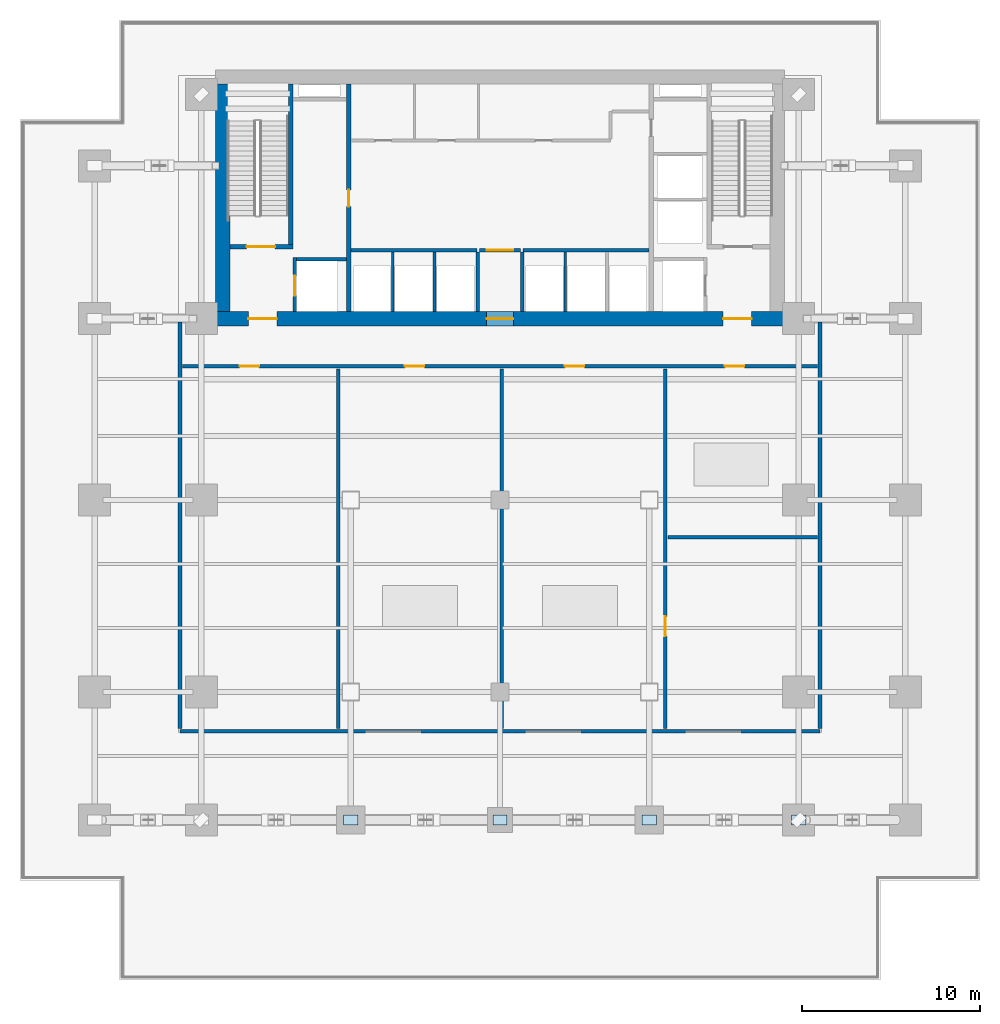
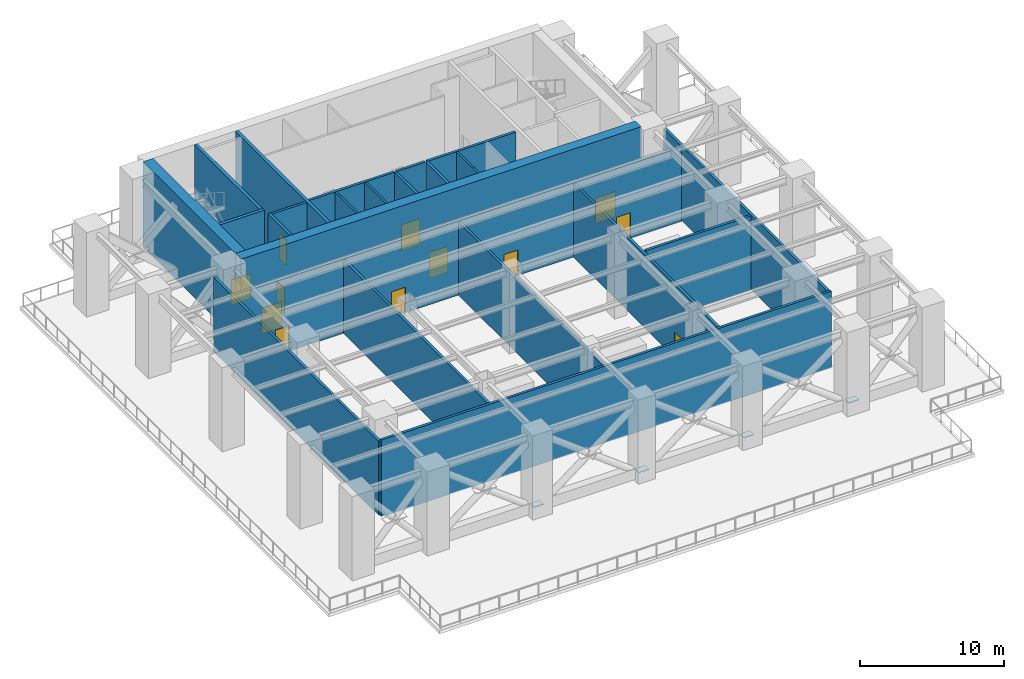
# One storey, part 3 of 10: 23 walls, 12 doors, 4 plates, 12 openings.
"""IFC4 building model written with IfcOpenShell, lengths in metres."""

from ifc_helpers import new_model, si_unit, direction, frame, frame_2d, origin, origin_2d, place, context, subcontext, project, spatial, rectangle, extrude, source, transform, mapped, material, layer, layer_set, type_object, element, fill, save


model = new_model("IFC4")

# Units and contexts
model_context = context("Model", 3, precision=1e-05, world=origin(), true_north=direction((0.0, 1.0)))
body_context = subcontext(model_context, "Body", "Model", "MODEL_VIEW")
ifc_project = project(units=[si_unit("LENGTHUNIT", "METRE"), si_unit("AREAUNIT", "SQUARE_METRE"), si_unit("VOLUMEUNIT", "CUBIC_METRE"), si_unit("PLANEANGLEUNIT", "RADIAN"), si_unit("MASSUNIT", "GRAM", prefix="KILO")], contexts=[model_context])

# Site, building, storey
site_placement = place(None, origin())
site = spatial("IfcSite", under=ifc_project, at=site_placement, CompositionType="ELEMENT")
building_placement = place(site_placement, origin())
building = spatial("IfcBuilding", under=site, at=building_placement, Name="Sumidabori Civic Tower", CompositionType="ELEMENT")
storey_placement = place(building_placement, frame((0.0, 0.0, 70.39990234375)))
storey = spatial("IfcBuildingStorey", under=building, at=storey_placement, Name="L18", CompositionType="ELEMENT", Elevation=70.39990234375)

# Plates
ifc_material_1 = material(Name="Steel SN490", Category="steel")
ifc_layer_1 = layer(ifc_material_1, 0.0400390625, Name="Steel SN490")
ifc_layer_set_1 = layer_set([ifc_layer_1], Name="Steel SN490")
plate_type = type_object("IfcPlateType", Name="PL-NODE-BT", PredefinedType="USERDEFINED", material=ifc_layer_set_1)
shared_shape_1 = source(origin(), body_context, "Body", "SweptSolid", [
    extrude(rectangle(XDim=0.800048828125, YDim=0.550048828125, at=origin_2d()), origin(), (0.0, 0.0, 1.0), 0.0400390625),
])
for number, where, z_axis, x_axis, name in (
    (1, (-8.39990234375, -18.0, 0.68017578125), (0.0, 0.0, 1.0), (1.0, 0.0, 0.0), "Belt Truss Node Cap Plate L18"),
    (2, (0.0, -18.0, 0.68017578125), (0.0, 0.0, 1.0), (1.0, 0.0, 0.0), "Belt Truss Node Cap Plate L18"),
    (3, (8.39990234375, -18.0, 0.68017578125), (0.0, 0.0, 1.0), (1.0, 0.0, 0.0), "Belt Truss Node Cap Plate L18"),
    (4, (16.800048828125, -18.0, 0.68017578125), (0.0, 0.0, 1.0), (1.0, 0.0, 0.0), "Belt Truss Node Cap Plate L18"),
):
    element("IfcPlate", number, at=place(storey_placement, frame(where, z_axis=z_axis, x_axis=x_axis)), inside=storey, type_object=plate_type, Name=name, ObjectType="GUSSET_PLATE", PredefinedType="USERDEFINED", context=body_context, shape_type="MappedRepresentation", body=[
        mapped(shared_shape_1, transform((0.0, 0.0, 0.0), x_axis=(1.0, 0.0, 0.0), y_axis=(0.0, 1.0, 0.0), z_axis=(0.0, 0.0, 1.0), scale=1.0)),
    ])

# Wall, openings, doors
ifc_material_2 = material(Name="Concrete C60/75", Category="concrete")
ifc_layer_2 = layer(ifc_material_2, 0.800048828125, Name="Concrete C60/75")
ifc_layer_set_2 = layer_set([ifc_layer_2], Name="Concrete C60/75")
wall_type_1 = type_object("IfcWallType", Name="WL-CORE-800", PredefinedType="SHEAR", material=ifc_layer_set_2)
shared_shape_2 = source(origin(), body_context, "Body", "SweptSolid", [
    extrude(rectangle(XDim=32.0, YDim=0.800048828125, at=frame_2d((16.0, 0.0))), origin(), (0.0, 0.0, 1.0), 7.2001953125),
])
wall_1_placement = place(storey_placement, frame((-16.0, 10.199951171875, 0.0), z_axis=(0.0, 0.0, 1.0), x_axis=(1.0, 0.0, 0.0)))
wall_1 = element("IfcWall", 5, at=wall_1_placement, inside=storey, type_object=wall_type_1, Name="Core Shear Wall L18 S", PredefinedType="SHEAR", context=body_context, shape_type="MappedRepresentation", body=[
    mapped(shared_shape_2, transform((0.0, 0.0, 0.0), x_axis=(1.0, 0.0, 0.0), y_axis=(0.0, 1.0, 0.0), z_axis=(0.0, 0.0, 1.0), scale=1.0)),
])
opening_1_placement = place(wall_1_placement, frame((1.85009765625, 0.0, 0.0)))
opening_1 = element("IfcOpeningElement", 6, at=opening_1_placement, cuts=wall_1, Name="Opening DR-FD4", PredefinedType="OPENING", context=body_context, shape_type="SweptSolid", body=[
    extrude(rectangle(XDim=1.60009765625, YDim=2.14990234375, at=frame_2d((0.800048828125, 1.074951171875))), frame((0.0, 0.412109375, 0.0), z_axis=(0.0, -1.0, 0.0), x_axis=(1.0, 0.0, 0.0)), (0.0, 0.0, 1.0), 0.823974609375),
])
opening_2_placement = place(wall_1_placement, frame((28.550048828125, 0.0, 0.0)))
opening_2 = element("IfcOpeningElement", 7, at=opening_2_placement, cuts=wall_1, Name="Opening DR-FD4", PredefinedType="OPENING", context=body_context, shape_type="SweptSolid", body=[
    extrude(rectangle(XDim=1.60009765625, YDim=2.14990234375, at=frame_2d((0.800048828125, 1.074951171875))), frame((0.0, 0.412109375, 0.0), z_axis=(0.0, -1.0, 0.0), x_axis=(1.0, 0.0, 0.0)), (0.0, 0.0, 1.0), 0.823974609375),
])
opening_3_placement = place(wall_1_placement, frame((15.25, 0.0, 0.0)))
opening_3 = element("IfcOpeningElement", 8, at=opening_3_placement, cuts=wall_1, Name="Opening DR-FD3", PredefinedType="OPENING", context=body_context, shape_type="SweptSolid", body=[
    extrude(rectangle(XDim=1.5, YDim=2.199951171875, at=frame_2d((0.75, 1.10009765625))), frame((0.0, 0.412109375, 0.0), z_axis=(0.0, -1.0, 0.0), x_axis=(1.0, 0.0, 0.0)), (0.0, 0.0, 1.0), 0.823974609375),
])
door_type_1 = type_object("IfcDoorType", Name="DR-FD4", OperationType="DOUBLE_DOOR_SINGLE_SWING", PredefinedType="DOOR", material=ifc_material_1)
shared_shape_3 = source(origin(), body_context, "Body", "SweptSolid", [
    extrude(rectangle(XDim=1.60009765625, YDim=2.14990234375, at=frame_2d((0.800048828125, 1.074951171875))), frame((0.0, 0.02490234375, 0.0), z_axis=(0.0, -1.0, 0.0), x_axis=(1.0, 0.0, 0.0)), (0.0, 0.0, 1.0), 0.050048828125),
])
door_1_placement = place(opening_1_placement, origin())
door_1 = element("IfcDoor", 9, at=door_1_placement, inside=storey, type_object=door_type_1, Name="Door DR:L18:ELOB-W", OperationType="DOUBLE_DOOR_SINGLE_SWING", OverallHeight=2.14990234375, OverallWidth=1.60009765625, PredefinedType="DOOR", context=body_context, shape_type="MappedRepresentation", body=[
    mapped(shared_shape_3, transform((0.0, 0.0, 0.0), x_axis=(1.0, 0.0, 0.0), y_axis=(0.0, 1.0, 0.0), z_axis=(0.0, 0.0, 1.0), scale=1.0)),
])
fill(opening_1, door_1)
door_2_placement = place(opening_2_placement, origin())
door_2 = element("IfcDoor", 10, at=door_2_placement, inside=storey, type_object=door_type_1, Name="Door DR:L18:ELOB-E", OperationType="DOUBLE_DOOR_SINGLE_SWING", OverallHeight=2.14990234375, OverallWidth=1.60009765625, PredefinedType="DOOR", context=body_context, shape_type="MappedRepresentation", body=[
    mapped(shared_shape_3, transform((0.0, 0.0, 0.0), x_axis=(1.0, 0.0, 0.0), y_axis=(0.0, 1.0, 0.0), z_axis=(0.0, 0.0, 1.0), scale=1.0)),
])
fill(opening_2, door_2)
door_type_2 = type_object("IfcDoorType", Name="DR-FD-DBL", OperationType="DOUBLE_DOOR_SINGLE_SWING", PredefinedType="DOOR", material=ifc_material_1)
shared_shape_4 = source(origin(), body_context, "Body", "SweptSolid", [
    extrude(rectangle(XDim=1.5, YDim=2.199951171875, at=frame_2d((0.75, 1.10009765625))), frame((0.0, 0.02490234375, 0.0), z_axis=(0.0, -1.0, 0.0), x_axis=(1.0, 0.0, 0.0)), (0.0, 0.0, 1.0), 0.050048828125),
])
door_3_placement = place(opening_3_placement, origin())
door_3 = element("IfcDoor", 11, at=door_3_placement, inside=storey, type_object=door_type_2, Name="Door DR:L18:THROAT-OUT", OperationType="DOUBLE_DOOR_SINGLE_SWING", OverallHeight=2.199951171875, OverallWidth=1.5, PredefinedType="DOOR", context=body_context, shape_type="MappedRepresentation", body=[
    mapped(shared_shape_4, transform((0.0, 0.0, 0.0), x_axis=(1.0, 0.0, 0.0), y_axis=(0.0, 1.0, 0.0), z_axis=(0.0, 0.0, 1.0), scale=1.0)),
])
fill(opening_3, door_3)

# Wall
shared_shape_5 = source(origin(), body_context, "Body", "SweptSolid", [
    extrude(rectangle(XDim=12.7998046875, YDim=0.800048828125, at=frame_2d((6.39990234375, 0.0))), origin(), (0.0, 0.0, 1.0), 7.2001953125),
])
wall_2_placement = place(storey_placement, frame((-15.60009765625, 10.60009765625, 0.0), z_axis=(0.0, 0.0, 1.0), x_axis=(0.0, 1.0, 0.0)))
element("IfcWall", 12, at=wall_2_placement, inside=storey, type_object=wall_type_1, Name="Core Shear Wall L18 W", PredefinedType="SHEAR", context=body_context, shape_type="MappedRepresentation", body=[
    mapped(shared_shape_5, transform((0.0, 0.0, 0.0), x_axis=(1.0, 0.0, 0.0), y_axis=(0.0, 1.0, 0.0), z_axis=(0.0, 0.0, 1.0), scale=1.0)),
])

# Wall, opening, door
ifc_material_3 = material(Name="Concrete C50/60", Category="concrete")
ifc_layer_3 = layer(ifc_material_3, 0.25, Name="Concrete C50/60")
ifc_layer_set_3 = layer_set([ifc_layer_3], Name="Concrete C50/60")
wall_type_2 = type_object("IfcWallType", Name="WL-SHAFT-250", PredefinedType="SHEAR", material=ifc_layer_set_3)
shared_shape_6 = source(origin(), body_context, "Body", "SweptSolid", [
    extrude(rectangle(XDim=12.7998046875, YDim=0.25, at=frame_2d((6.39990234375, 0.0))), origin(), (0.0, 0.0, 1.0), 7.2001953125),
])
wall_3_placement = place(storey_placement, frame((-8.5, 10.60009765625, 0.0), z_axis=(0.0, 0.0, 1.0), x_axis=(0.0, 1.0, 0.0)))
wall_3 = element("IfcWall", 13, at=wall_3_placement, inside=storey, type_object=wall_type_2, Name="Core Shear Wall L18 WEB-W", PredefinedType="SHEAR", context=body_context, shape_type="MappedRepresentation", body=[
    mapped(shared_shape_6, transform((0.0, 0.0, 0.0), x_axis=(1.0, 0.0, 0.0), y_axis=(0.0, 1.0, 0.0), z_axis=(0.0, 0.0, 1.0), scale=1.0)),
])
opening_4_placement = place(wall_3_placement, frame((5.89990234375, 0.0, 0.0)))
opening_4 = element("IfcOpeningElement", 14, at=opening_4_placement, cuts=wall_3, Name="Opening DR-FD2", PredefinedType="OPENING", context=body_context, shape_type="SweptSolid", body=[
    extrude(rectangle(XDim=0.949951171875, YDim=2.14990234375, at=frame_2d((0.47509765625, 1.074951171875))), frame((0.0, 0.136962890625, 0.0), z_axis=(0.0, -1.0, 0.0), x_axis=(1.0, 0.0, 0.0)), (0.0, 0.0, 1.0), 0.27392578125),
])
door_type_3 = type_object("IfcDoorType", Name="DR-FD2", OperationType="NOTDEFINED", PredefinedType="DOOR", material=ifc_material_1)
shared_shape_7 = source(origin(), body_context, "Body", "SweptSolid", [
    extrude(rectangle(XDim=0.949951171875, YDim=2.14990234375, at=frame_2d((0.47509765625, 1.074951171875))), frame((0.0, 0.02490234375, 0.0), z_axis=(0.0, -1.0, 0.0), x_axis=(1.0, 0.0, 0.0)), (0.0, 0.0, 1.0), 0.050048828125),
])
door_4_placement = place(opening_4_placement, origin())
door_4 = element("IfcDoor", 15, at=door_4_placement, inside=storey, type_object=door_type_3, Name="Door DR:L18:CW-STR", OperationType="SINGLE_SWING_LEFT", OverallHeight=2.14990234375, OverallWidth=0.949951171875, PredefinedType="DOOR", context=body_context, shape_type="MappedRepresentation", body=[
    mapped(shared_shape_7, transform((0.0, 0.0, 0.0), x_axis=(1.0, 0.0, 0.0), y_axis=(0.0, 1.0, 0.0), z_axis=(0.0, 0.0, 1.0), scale=1.0)),
])
fill(opening_4, door_4)

shared_shape_8 = source(origin(), body_context, "Body", "SweptSolid", [
    extrude(rectangle(XDim=3.554931640625, YDim=0.25, at=frame_2d((1.77734375, 0.0))), origin(), (0.0, 0.0, 1.0), 7.2001953125),
])
wall_4_placement = place(storey_placement, frame((-15.199951171875, 14.25, 0.0), z_axis=(0.0, 0.0, 1.0), x_axis=(1.0, 0.0, 0.0)))
wall_4 = element("IfcWall", 16, at=wall_4_placement, inside=storey, type_object=wall_type_2, Name="Core Shear Wall L18 ST1-S", PredefinedType="SHEAR", context=body_context, shape_type="MappedRepresentation", body=[
    mapped(shared_shape_8, transform((0.0, 0.0, 0.0), x_axis=(1.0, 0.0, 0.0), y_axis=(0.0, 1.0, 0.0), z_axis=(0.0, 0.0, 1.0), scale=1.0)),
])
opening_5_placement = place(wall_4_placement, frame((0.949951171875, 0.0, 0.0)))
opening_5 = element("IfcOpeningElement", 17, at=opening_5_placement, cuts=wall_4, Name="Opening DR-FD4", PredefinedType="OPENING", context=body_context, shape_type="SweptSolid", body=[
    extrude(rectangle(XDim=1.60009765625, YDim=2.14990234375, at=frame_2d((0.800048828125, 1.074951171875))), frame((0.0, 0.136962890625, 0.0), z_axis=(0.0, -1.0, 0.0), x_axis=(1.0, 0.0, 0.0)), (0.0, 0.0, 1.0), 0.27392578125),
])
door_5_placement = place(opening_5_placement, origin())
door_5 = element("IfcDoor", 18, at=door_5_placement, inside=storey, type_object=door_type_1, Name="Door DR:L18:ST1", OperationType="DOUBLE_DOOR_SINGLE_SWING", OverallHeight=2.14990234375, OverallWidth=1.60009765625, PredefinedType="DOOR", context=body_context, shape_type="MappedRepresentation", body=[
    mapped(shared_shape_3, transform((0.0, 0.0, 0.0), x_axis=(1.0, 0.0, 0.0), y_axis=(0.0, 1.0, 0.0), z_axis=(0.0, 0.0, 1.0), scale=1.0)),
])
fill(opening_5, door_5)

# Wall
shared_shape_9 = source(origin(), body_context, "Body", "SweptSolid", [
    extrude(rectangle(XDim=9.02490234375, YDim=0.25, at=frame_2d((4.512451171875, 0.0))), origin(), (0.0, 0.0, 1.0), 7.2001953125),
])
wall_5_placement = place(storey_placement, frame((-11.77001953125, 14.375, 0.0), z_axis=(0.0, 0.0, 1.0), x_axis=(0.0, 1.0, 0.0)))
element("IfcWall", 19, at=wall_5_placement, inside=storey, type_object=wall_type_2, Name="Core Shear Wall L18 ST1-E", PredefinedType="SHEAR", context=body_context, shape_type="MappedRepresentation", body=[
    mapped(shared_shape_9, transform((0.0, 0.0, 0.0), x_axis=(1.0, 0.0, 0.0), y_axis=(0.0, 1.0, 0.0), z_axis=(0.0, 0.0, 1.0), scale=1.0)),
])

# Wall, opening, door
ifc_layer_4 = layer(ifc_material_3, 0.199951171875, Name="Concrete C50/60")
ifc_layer_set_4 = layer_set([ifc_layer_4], Name="Concrete C50/60")
wall_type_3 = type_object("IfcWallType", Name="WL-SHAFT-200", PredefinedType="SHEAR", material=ifc_layer_set_4)
shared_shape_10 = source(origin(), body_context, "Body", "SweptSolid", [
    extrude(rectangle(XDim=3.0498046875, YDim=0.199951171875, at=frame_2d((1.52490234375, 0.0))), origin(), (0.0, 0.0, 1.0), 7.2001953125),
])
wall_6_placement = place(storey_placement, frame((-11.550048828125, 10.60009765625, 0.0), z_axis=(0.0, 0.0, 1.0), x_axis=(0.0, 1.0, 0.0)))
wall_6 = element("IfcWall", 20, at=wall_6_placement, inside=storey, type_object=wall_type_3, Name="Core Shear Wall L18 EL1-W", PredefinedType="SHEAR", context=body_context, shape_type="MappedRepresentation", body=[
    mapped(shared_shape_10, transform((0.0, 0.0, 0.0), x_axis=(1.0, 0.0, 0.0), y_axis=(0.0, 1.0, 0.0), z_axis=(0.0, 0.0, 1.0), scale=1.0)),
])
opening_6_placement = place(wall_6_placement, frame((0.89990234375, 0.0, 0.0)))
opening_6 = element("IfcOpeningElement", 21, at=opening_6_placement, cuts=wall_6, Name="Opening LD-2", PredefinedType="OPENING", context=body_context, shape_type="SweptSolid", body=[
    extrude(rectangle(XDim=1.10009765625, YDim=2.14990234375, at=frame_2d((0.550048828125, 1.074951171875))), frame((0.0, 0.11181640625, 0.0), z_axis=(0.0, -1.0, 0.0), x_axis=(1.0, 0.0, 0.0)), (0.0, 0.0, 1.0), 0.223876953125),
])
ifc_material_4 = material(Name="Stainless Steel Hairline Finish", Category="steel")
door_type_4 = type_object("IfcDoorType", Name="DR-LD2", OperationType="DOUBLE_DOOR_SLIDING", PredefinedType="DOOR", material=ifc_material_4)
shared_shape_11 = source(origin(), body_context, "Body", "SweptSolid", [
    extrude(rectangle(XDim=1.10009765625, YDim=2.14990234375, at=frame_2d((0.550048828125, 1.074951171875))), frame((0.0, 0.02490234375, 0.0), z_axis=(0.0, -1.0, 0.0), x_axis=(1.0, 0.0, 0.0)), (0.0, 0.0, 1.0), 0.050048828125),
])
door_6_placement = place(opening_6_placement, origin())
door_6 = element("IfcDoor", 22, at=door_6_placement, inside=storey, type_object=door_type_4, Name="Door DR:L18:LD-EL1", OperationType="DOUBLE_DOOR_SLIDING", OverallHeight=2.14990234375, OverallWidth=1.10009765625, PredefinedType="DOOR", context=body_context, shape_type="MappedRepresentation", body=[
    mapped(shared_shape_11, transform((0.0, 0.0, 0.0), x_axis=(1.0, 0.0, 0.0), y_axis=(0.0, 1.0, 0.0), z_axis=(0.0, 0.0, 1.0), scale=1.0)),
])
fill(opening_6, door_6)

# Walls
shared_shape_12 = source(origin(), body_context, "Body", "SweptSolid", [
    extrude(rectangle(XDim=2.824951171875, YDim=0.199951171875, at=frame_2d((1.41259765625, 0.0))), origin(), (0.0, 0.0, 1.0), 7.2001953125),
])
wall_7_placement = place(storey_placement, frame((-11.449951171875, 13.550048828125, 0.0), z_axis=(0.0, 0.0, 1.0), x_axis=(1.0, 0.0, 0.0)))
element("IfcWall", 23, at=wall_7_placement, inside=storey, type_object=wall_type_3, Name="Core Shear Wall L18 EL1-N", PredefinedType="SHEAR", context=body_context, shape_type="MappedRepresentation", body=[
    mapped(shared_shape_12, transform((0.0, 0.0, 0.0), x_axis=(1.0, 0.0, 0.0), y_axis=(0.0, 1.0, 0.0), z_axis=(0.0, 0.0, 1.0), scale=1.0)),
])
ifc_material_5 = material(Name="Gypsum Plasterboard Fire Partition")
ifc_layer_5 = layer(ifc_material_5, 0.199951171875, Name="Gypsum Plasterboard Fire Partition")
ifc_layer_set_5 = layer_set([ifc_layer_5], Name="Gypsum Plasterboard Fire Partition")
wall_type_4 = type_object("IfcWallType", Name="WL-PART-FIRE", PredefinedType="PARTITIONING", material=ifc_layer_set_5)
shared_shape_13 = source(origin(), body_context, "Body", "SweptSolid", [
    extrude(rectangle(XDim=7.070068359375, YDim=0.199951171875, at=frame_2d((3.53515625, 0.0))), origin(), (0.0, 0.0, 1.0), 6.900146484375),
])
for number, where, z_axis, x_axis, name in (
    (24, (-8.3701171875, 14.050048828125, 0.0), (0.0, 0.0, 1.0), (1.0, 0.0, 0.0), "Interior Partition WL:L18:CBAND-SW"),
    (25, (1.300048828125, 14.050048828125, 0.0), (0.0, 0.0, 1.0), (1.0, 0.0, 0.0), "Interior Partition WL:L18:CBAND-SE"),
):
    element("IfcWall", number, at=place(storey_placement, frame(where, z_axis=z_axis, x_axis=x_axis)), inside=storey, type_object=wall_type_4, Name=name, PredefinedType="PARTITIONING", context=body_context, shape_type="MappedRepresentation", body=[
        mapped(shared_shape_13, transform((0.0, 0.0, 0.0), x_axis=(1.0, 0.0, 0.0), y_axis=(0.0, 1.0, 0.0), z_axis=(0.0, 0.0, 1.0), scale=1.0)),
    ])
shared_shape_14 = source(origin(), body_context, "Body", "SweptSolid", [
    extrude(rectangle(XDim=3.33984375, YDim=0.199951171875, at=frame_2d((1.669921875, 0.0))), origin(), (0.0, 0.0, 1.0), 6.900146484375),
])
for number, where, z_axis, x_axis, name in (
    (26, (-1.25, 10.60009765625, 0.0), (0.0, 0.0, 1.0), (0.0, 1.0, 0.0), "Interior Partition WL:L18:THROAT-W"),
    (27, (1.25, 10.60009765625, 0.0), (0.0, 0.0, 1.0), (0.0, 1.0, 0.0), "Interior Partition WL:L18:THROAT-E"),
):
    element("IfcWall", number, at=place(storey_placement, frame(where, z_axis=z_axis, x_axis=x_axis)), inside=storey, type_object=wall_type_4, Name=name, PredefinedType="PARTITIONING", context=body_context, shape_type="MappedRepresentation", body=[
        mapped(shared_shape_14, transform((0.0, 0.0, 0.0), x_axis=(1.0, 0.0, 0.0), y_axis=(0.0, 1.0, 0.0), z_axis=(0.0, 0.0, 1.0), scale=1.0)),
    ])

# Wall, opening, door
shared_shape_15 = source(origin(), body_context, "Body", "SweptSolid", [
    extrude(rectangle(XDim=2.2998046875, YDim=0.199951171875, at=frame_2d((1.14990234375, 0.0))), origin(), (0.0, 0.0, 1.0), 6.900146484375),
])
wall_8_placement = place(storey_placement, frame((-1.14990234375, 14.050048828125, 0.0), z_axis=(0.0, 0.0, 1.0), x_axis=(1.0, 0.0, 0.0)))
wall_8 = element("IfcWall", 28, at=wall_8_placement, inside=storey, type_object=wall_type_4, Name="Interior Partition WL:L18:THROAT-N", PredefinedType="PARTITIONING", context=body_context, shape_type="MappedRepresentation", body=[
    mapped(shared_shape_15, transform((0.0, 0.0, 0.0), x_axis=(1.0, 0.0, 0.0), y_axis=(0.0, 1.0, 0.0), z_axis=(0.0, 0.0, 1.0), scale=1.0)),
])
opening_7_placement = place(wall_8_placement, frame((0.39990234375, 0.0, 0.0)))
opening_7 = element("IfcOpeningElement", 29, at=opening_7_placement, cuts=wall_8, Name="Opening DR-FD3", PredefinedType="OPENING", context=body_context, shape_type="SweptSolid", body=[
    extrude(rectangle(XDim=1.5, YDim=2.199951171875, at=frame_2d((0.75, 1.10009765625))), frame((0.0, 0.11181640625, 0.0), z_axis=(0.0, -1.0, 0.0), x_axis=(1.0, 0.0, 0.0)), (0.0, 0.0, 1.0), 0.223876953125),
])
door_7_placement = place(opening_7_placement, origin())
door_7 = element("IfcDoor", 30, at=door_7_placement, inside=storey, type_object=door_type_2, Name="Door DR:L18:THROAT-IN", OperationType="DOUBLE_DOOR_SINGLE_SWING", OverallHeight=2.199951171875, OverallWidth=1.5, PredefinedType="DOOR", context=body_context, shape_type="MappedRepresentation", body=[
    mapped(shared_shape_4, transform((0.0, 0.0, 0.0), x_axis=(1.0, 0.0, 0.0), y_axis=(0.0, 1.0, 0.0), z_axis=(0.0, 0.0, 1.0), scale=1.0)),
])
fill(opening_7, door_7)

# Walls
ifc_material_6 = material(Name="Gypsum Plasterboard Acoustic Partition")
ifc_layer_6 = layer(ifc_material_6, 0.14990234375, Name="Gypsum Plasterboard Acoustic Partition")
ifc_layer_set_6 = layer_set([ifc_layer_6], Name="Gypsum Plasterboard Acoustic Partition")
wall_type_5 = type_object("IfcWallType", Name="WL-PART-150", PredefinedType="PARTITIONING", material=ifc_layer_set_6)
shared_shape_16 = source(origin(), body_context, "Body", "SweptSolid", [
    extrude(rectangle(XDim=3.33984375, YDim=0.14990234375, at=frame_2d((1.669921875, 0.0))), origin(), (0.0, 0.0, 1.0), 6.900146484375),
])
for number, where, z_axis, x_axis, name in (
    (31, (-6.030029296875, 10.60009765625, 0.0), (0.0, 0.0, 1.0), (0.0, 1.0, 0.0), "Interior Partition WL:L18:DIV-PLL1"),
    (32, (-3.679931640625, 10.60009765625, 0.0), (0.0, 0.0, 1.0), (0.0, 1.0, 0.0), "Interior Partition WL:L18:DIV-PLL2"),
    (33, (3.669921875, 10.60009765625, 0.0), (0.0, 0.0, 1.0), (0.0, 1.0, 0.0), "Interior Partition WL:L18:DIV-PLM1"),
):
    element("IfcWall", number, at=place(storey_placement, frame(where, z_axis=z_axis, x_axis=x_axis)), inside=storey, type_object=wall_type_5, Name=name, PredefinedType="PARTITIONING", context=body_context, shape_type="MappedRepresentation", body=[
        mapped(shared_shape_16, transform((0.0, 0.0, 0.0), x_axis=(1.0, 0.0, 0.0), y_axis=(0.0, 1.0, 0.0), z_axis=(0.0, 0.0, 1.0), scale=1.0)),
    ])
shared_shape_17 = source(origin(), body_context, "Body", "SweptSolid", [
    extrude(rectangle(XDim=36.0, YDim=0.199951171875, at=frame_2d((18.0, 0.0))), origin(), (0.0, 0.0, 1.0), 6.485107421875),
])
wall_9_placement = place(storey_placement, frame((-18.0, -13.0, 0.0), z_axis=(0.0, 0.0, 1.0), x_axis=(1.0, 0.0, 0.0)))
element("IfcWall", 34, at=wall_9_placement, inside=storey, type_object=wall_type_4, Name="Interior Partition WL:L18:PL-S", PredefinedType="PARTITIONING", context=body_context, shape_type="MappedRepresentation", body=[
    mapped(shared_shape_17, transform((0.0, 0.0, 0.0), x_axis=(1.0, 0.0, 0.0), y_axis=(0.0, 1.0, 0.0), z_axis=(0.0, 0.0, 1.0), scale=1.0)),
])
shared_shape_18 = source(origin(), body_context, "Body", "SweptSolid", [
    extrude(rectangle(XDim=22.85009765625, YDim=0.199951171875, at=frame_2d((11.425048828125, 0.0))), origin(), (0.0, 0.0, 1.0), 6.28515625),
])
for number, where, z_axis, x_axis, name in (
    (35, (-18.0, -12.85009765625, 0.0), (0.0, 0.0, 1.0), (0.0, 1.0, 0.0), "Interior Partition WL:L18:PL-W"),
    (36, (18.0, -12.85009765625, 0.0), (0.0, 0.0, 1.0), (0.0, 1.0, 0.0), "Interior Partition WL:L18:PL-E"),
):
    element("IfcWall", number, at=place(storey_placement, frame(where, z_axis=z_axis, x_axis=x_axis)), inside=storey, type_object=wall_type_4, Name=name, PredefinedType="PARTITIONING", context=body_context, shape_type="MappedRepresentation", body=[
        mapped(shared_shape_18, transform((0.0, 0.0, 0.0), x_axis=(1.0, 0.0, 0.0), y_axis=(0.0, 1.0, 0.0), z_axis=(0.0, 0.0, 1.0), scale=1.0)),
    ])

# Wall, openings, doors
shared_shape_19 = source(origin(), body_context, "Body", "SweptSolid", [
    extrude(rectangle(XDim=35.7001953125, YDim=0.199951171875, at=frame_2d((17.85009765625, 0.0))), origin(), (0.0, 0.0, 1.0), 6.28515625),
])
wall_10_placement = place(storey_placement, frame((-17.85009765625, 7.52001953125, 0.0), z_axis=(0.0, 0.0, 1.0), x_axis=(1.0, 0.0, 0.0)))
wall_10 = element("IfcWall", 37, at=wall_10_placement, inside=storey, type_object=wall_type_4, Name="Interior Partition WL:L18:PCORR-S", PredefinedType="PARTITIONING", context=body_context, shape_type="MappedRepresentation", body=[
    mapped(shared_shape_19, transform((0.0, 0.0, 0.0), x_axis=(1.0, 0.0, 0.0), y_axis=(0.0, 1.0, 0.0), z_axis=(0.0, 0.0, 1.0), scale=1.0)),
])
opening_8_placement = place(wall_10_placement, frame((3.199951171875, 0.0, 0.0)))
opening_8 = element("IfcOpeningElement", 38, at=opening_8_placement, cuts=wall_10, Name="Opening DR-FD1", PredefinedType="OPENING", context=body_context, shape_type="SweptSolid", body=[
    extrude(rectangle(XDim=1.10009765625, YDim=2.14990234375, at=frame_2d((0.550048828125, 1.074951171875))), frame((0.0, 0.11181640625, 0.0), z_axis=(0.0, -1.0, 0.0), x_axis=(1.0, 0.0, 0.0)), (0.0, 0.0, 1.0), 0.223876953125),
])
opening_9_placement = place(wall_10_placement, frame((12.5, 0.0, 0.0)))
opening_9 = element("IfcOpeningElement", 39, at=opening_9_placement, cuts=wall_10, Name="Opening DR-FD1", PredefinedType="OPENING", context=body_context, shape_type="SweptSolid", body=[
    extrude(rectangle(XDim=1.10009765625, YDim=2.14990234375, at=frame_2d((0.550048828125, 1.074951171875))), frame((0.0, 0.11181640625, 0.0), z_axis=(0.0, -1.0, 0.0), x_axis=(1.0, 0.0, 0.0)), (0.0, 0.0, 1.0), 0.223876953125),
])
opening_10_placement = place(wall_10_placement, frame((21.5, 0.0, 0.0)))
opening_10 = element("IfcOpeningElement", 40, at=opening_10_placement, cuts=wall_10, Name="Opening DR-FD1", PredefinedType="OPENING", context=body_context, shape_type="SweptSolid", body=[
    extrude(rectangle(XDim=1.10009765625, YDim=2.14990234375, at=frame_2d((0.550048828125, 1.074951171875))), frame((0.0, 0.11181640625, 0.0), z_axis=(0.0, -1.0, 0.0), x_axis=(1.0, 0.0, 0.0)), (0.0, 0.0, 1.0), 0.223876953125),
])
opening_11_placement = place(wall_10_placement, frame((30.5, 0.0, 0.0)))
opening_11 = element("IfcOpeningElement", 41, at=opening_11_placement, cuts=wall_10, Name="Opening DR-FD1", PredefinedType="OPENING", context=body_context, shape_type="SweptSolid", body=[
    extrude(rectangle(XDim=1.10009765625, YDim=2.14990234375, at=frame_2d((0.550048828125, 1.074951171875))), frame((0.0, 0.11181640625, 0.0), z_axis=(0.0, -1.0, 0.0), x_axis=(1.0, 0.0, 0.0)), (0.0, 0.0, 1.0), 0.223876953125),
])
door_type_5 = type_object("IfcDoorType", Name="DR-FD1", OperationType="NOTDEFINED", PredefinedType="DOOR", material=ifc_material_1)
shared_shape_20 = source(origin(), body_context, "Body", "SweptSolid", [
    extrude(rectangle(XDim=1.10009765625, YDim=2.14990234375, at=frame_2d((0.550048828125, 1.074951171875))), frame((0.0, 0.02490234375, 0.0), z_axis=(0.0, -1.0, 0.0), x_axis=(1.0, 0.0, 0.0)), (0.0, 0.0, 1.0), 0.050048828125),
])
door_8_placement = place(opening_8_placement, origin())
door_8 = element("IfcDoor", 42, at=door_8_placement, inside=storey, type_object=door_type_5, Name="Door DR:L18:PL-1", OperationType="SINGLE_SWING_LEFT", OverallHeight=2.14990234375, OverallWidth=1.10009765625, PredefinedType="DOOR", context=body_context, shape_type="MappedRepresentation", body=[
    mapped(shared_shape_20, transform((0.0, 0.0, 0.0), x_axis=(1.0, 0.0, 0.0), y_axis=(0.0, 1.0, 0.0), z_axis=(0.0, 0.0, 1.0), scale=1.0)),
])
fill(opening_8, door_8)
door_9_placement = place(opening_9_placement, origin())
door_9 = element("IfcDoor", 43, at=door_9_placement, inside=storey, type_object=door_type_5, Name="Door DR:L18:PL-2", OperationType="SINGLE_SWING_RIGHT", OverallHeight=2.14990234375, OverallWidth=1.10009765625, PredefinedType="DOOR", context=body_context, shape_type="MappedRepresentation", body=[
    mapped(shared_shape_20, transform((0.0, 0.0, 0.0), x_axis=(1.0, 0.0, 0.0), y_axis=(0.0, 1.0, 0.0), z_axis=(0.0, 0.0, 1.0), scale=1.0)),
])
fill(opening_9, door_9)
door_10_placement = place(opening_10_placement, origin())
door_10 = element("IfcDoor", 44, at=door_10_placement, inside=storey, type_object=door_type_5, Name="Door DR:L18:PL-3", OperationType="SINGLE_SWING_LEFT", OverallHeight=2.14990234375, OverallWidth=1.10009765625, PredefinedType="DOOR", context=body_context, shape_type="MappedRepresentation", body=[
    mapped(shared_shape_20, transform((0.0, 0.0, 0.0), x_axis=(1.0, 0.0, 0.0), y_axis=(0.0, 1.0, 0.0), z_axis=(0.0, 0.0, 1.0), scale=1.0)),
])
fill(opening_10, door_10)
door_11_placement = place(opening_11_placement, origin())
door_11 = element("IfcDoor", 45, at=door_11_placement, inside=storey, type_object=door_type_5, Name="Door DR:L18:PL-4", OperationType="SINGLE_SWING_RIGHT", OverallHeight=2.14990234375, OverallWidth=1.10009765625, PredefinedType="DOOR", context=body_context, shape_type="MappedRepresentation", body=[
    mapped(shared_shape_20, transform((0.0, 0.0, 0.0), x_axis=(1.0, 0.0, 0.0), y_axis=(0.0, 1.0, 0.0), z_axis=(0.0, 0.0, 1.0), scale=1.0)),
])
fill(opening_11, door_11)

# Walls
shared_shape_21 = source(origin(), body_context, "Body", "SweptSolid", [
    extrude(rectangle(XDim=20.22998046875, YDim=0.199951171875, at=frame_2d((10.114990234375, 0.0))), origin(), (0.0, 0.0, 1.0), 6.18505859375),
])
for number, where, z_axis, x_axis, name in (
    (46, (-9.10009765625, -12.85009765625, 0.0), (0.0, 0.0, 1.0), (0.0, 1.0, 0.0), "Interior Partition WL:L18:PDIV-1"),
    (47, (0.10009765625, -12.85009765625, 0.0), (0.0, 0.0, 1.0), (0.0, 1.0, 0.0), "Interior Partition WL:L18:PDIV-2"),
):
    element("IfcWall", number, at=place(storey_placement, frame(where, z_axis=z_axis, x_axis=x_axis)), inside=storey, type_object=wall_type_4, Name=name, PredefinedType="PARTITIONING", context=body_context, shape_type="MappedRepresentation", body=[
        mapped(shared_shape_21, transform((0.0, 0.0, 0.0), x_axis=(1.0, 0.0, 0.0), y_axis=(0.0, 1.0, 0.0), z_axis=(0.0, 0.0, 1.0), scale=1.0)),
    ])

# Wall, opening, door
wall_11_placement = place(storey_placement, frame((9.300048828125, -12.85009765625, 0.0), z_axis=(0.0, 0.0, 1.0), x_axis=(0.0, 1.0, 0.0)))
wall_11 = element("IfcWall", 48, at=wall_11_placement, inside=storey, type_object=wall_type_4, Name="Interior Partition WL:L18:PDIV-3", PredefinedType="PARTITIONING", context=body_context, shape_type="MappedRepresentation", body=[
    mapped(shared_shape_21, transform((0.0, 0.0, 0.0), x_axis=(1.0, 0.0, 0.0), y_axis=(0.0, 1.0, 0.0), z_axis=(0.0, 0.0, 1.0), scale=1.0)),
])
opening_12_placement = place(wall_11_placement, frame((5.199951171875, 0.0, 0.0)))
opening_12 = element("IfcOpeningElement", 49, at=opening_12_placement, cuts=wall_11, Name="Opening DR-FD1", PredefinedType="OPENING", context=body_context, shape_type="SweptSolid", body=[
    extrude(rectangle(XDim=1.10009765625, YDim=2.14990234375, at=frame_2d((0.550048828125, 1.074951171875))), frame((0.0, 0.11181640625, 0.0), z_axis=(0.0, -1.0, 0.0), x_axis=(1.0, 0.0, 0.0)), (0.0, 0.0, 1.0), 0.223876953125),
])
door_12_placement = place(opening_12_placement, origin())
door_12 = element("IfcDoor", 50, at=door_12_placement, inside=storey, type_object=door_type_5, Name="Door DR:L18:PMP", OperationType="SINGLE_SWING_LEFT", OverallHeight=2.14990234375, OverallWidth=1.10009765625, PredefinedType="DOOR", context=body_context, shape_type="MappedRepresentation", body=[
    mapped(shared_shape_20, transform((0.0, 0.0, 0.0), x_axis=(1.0, 0.0, 0.0), y_axis=(0.0, 1.0, 0.0), z_axis=(0.0, 0.0, 1.0), scale=1.0)),
])
fill(opening_12, door_12)

# Wall
shared_shape_22 = source(origin(), body_context, "Body", "SweptSolid", [
    extrude(rectangle(XDim=8.400146484375, YDim=0.199951171875, at=frame_2d((4.2001953125, 0.0))), origin(), (0.0, 0.0, 1.0), 6.28515625),
])
wall_12_placement = place(storey_placement, frame((9.449951171875, -2.10009765625, 0.0), z_axis=(0.0, 0.0, 1.0), x_axis=(1.0, 0.0, 0.0)))
element("IfcWall", 51, at=wall_12_placement, inside=storey, type_object=wall_type_4, Name="Interior Partition WL:L18:PDIV-4", PredefinedType="PARTITIONING", context=body_context, shape_type="MappedRepresentation", body=[
    mapped(shared_shape_22, transform((0.0, 0.0, 0.0), x_axis=(1.0, 0.0, 0.0), y_axis=(0.0, 1.0, 0.0), z_axis=(0.0, 0.0, 1.0), scale=1.0)),
])

save(model, "model.ifc")
